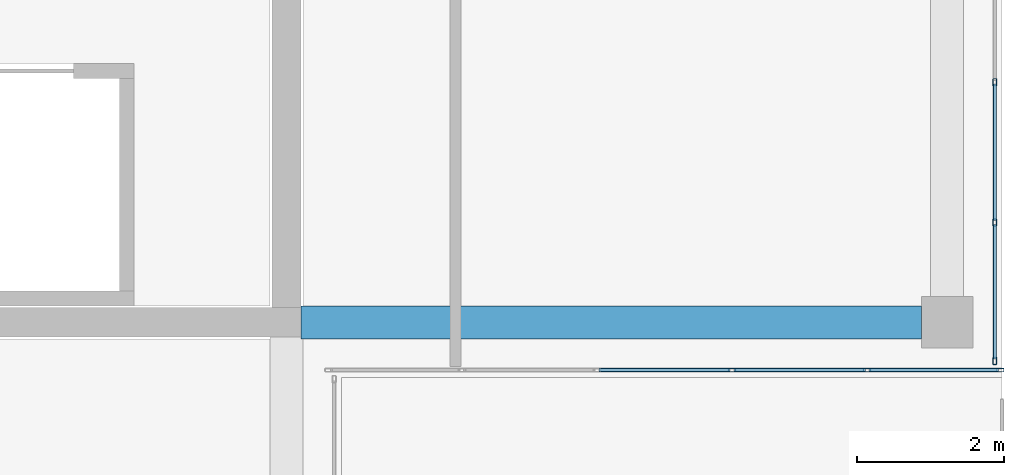
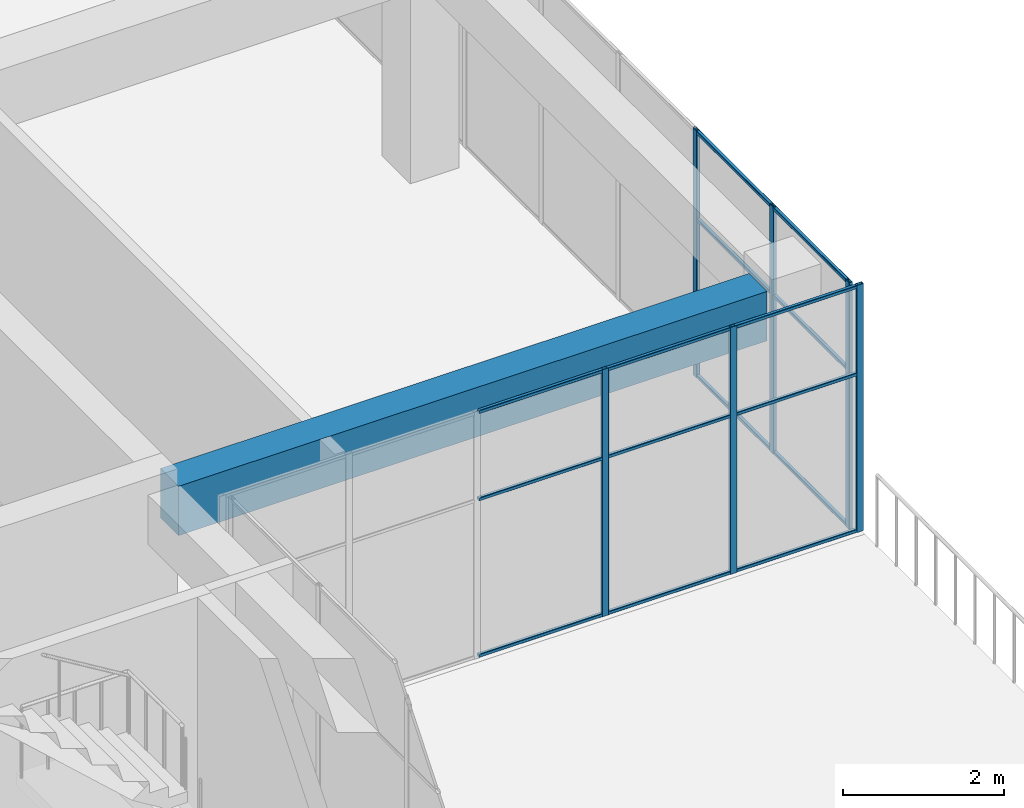
# One storey, part 24 of 49: 21 members, 1 beam, 2 elements without a shape of their own.
"""IFC4 building model written with IfcOpenShell, lengths in metres."""

from ifc_helpers import new_model, si_unit, direction, frame, origin, origin_2d, place, context, subcontext, project, spatial, rectangle, hollow_rectangle, extrude, material, layer, layer_set, material_profile, profile_set, type_object, element, aggregate, save


model = new_model("IFC4")

# Units and contexts
model_context = context("Model", 3, precision=1e-05, world=origin(), true_north=direction((0.0, 1.0)))
body_context = subcontext(model_context, "Body", "Model", "MODEL_VIEW")
ifc_project = project(units=[si_unit("LENGTHUNIT", "METRE"), si_unit("AREAUNIT", "SQUARE_METRE"), si_unit("VOLUMEUNIT", "CUBIC_METRE"), si_unit("PLANEANGLEUNIT", "RADIAN"), si_unit("MASSUNIT", "GRAM", prefix="KILO")], contexts=[model_context])

# Site, building, storey
site_placement = place(None, origin())
site = spatial("IfcSite", under=ifc_project, at=site_placement, CompositionType="ELEMENT")
building_placement = place(site_placement, origin())
building = spatial("IfcBuilding", under=site, at=building_placement, Name="Tuart Plaza Theatre", CompositionType="ELEMENT")
storey_placement = place(building_placement, frame((0.0, 0.0, 29.5)))
storey = spatial("IfcBuildingStorey", under=building, at=storey_placement, Name="L07", CompositionType="ELEMENT", Elevation=29.5)

# Beam
ifc_material_1 = material(Name="Concrete N40 (40 MPa)", Category="concrete")
ifc_material_profile_1 = material_profile(ifc_material_1, rectangle(XDim=0.449951171875, YDim=0.75, at=origin_2d()), Name="BEAM 450x750 Concrete N40 (40 MPa)")
ifc_profile_set_1 = profile_set([ifc_material_profile_1], Name="Concrete N40 (40 MPa)")
beam_type = type_object("IfcBeamType", Name="BEAM 450x750 Concrete N40 (40 MPa)", PredefinedType="BEAM", material=ifc_profile_set_1)
beam_placement = place(storey_placement, frame((141.199951171875, 65.0, 3.375), z_axis=(1.0, 0.0, 0.0), x_axis=(0.0, 1.0, 0.0)))
element("IfcBeam", 1, at=beam_placement, inside=storey, type_object=beam_type, Name="RB274", PredefinedType="BEAM", context=body_context, shape_type="SweptSolid", body=[
    extrude(rectangle(XDim=0.449951171875, YDim=0.75, at=origin_2d()), origin(), (0.0, 0.0, 1.0), 8.449951171875),
])

# Curtain wall, members
ifc_material_2 = material(Name="Aluminium and glass", Category="aluminium")
ifc_layer = layer(ifc_material_2, 0.10009765625)
ifc_layer_set = layer_set([ifc_layer], Name="CURTAIN WALL 2000 module")
curtain_wall_type = type_object("IfcCurtainWallType", Name="CURTAIN WALL 2000 module", PredefinedType="NOTDEFINED", material=ifc_layer_set)
curtain_wall_1_placement = place(storey_placement, origin())
curtain_wall_1 = element("IfcCurtainWall", 2, at=curtain_wall_1_placement, inside=storey, type_object=curtain_wall_type, Name="CW91", PredefinedType="NOTDEFINED")
ifc_material_3 = material(Name="Aluminium 6063-T5", Category="aluminium")
ifc_material_profile_2 = material_profile(ifc_material_3, hollow_rectangle(XDim=0.050048828125, YDim=0.10009765625, WallThickness=0.00390625, InnerFilletRadius=0.00390625, OuterFilletRadius=0.008056640625, at=origin_2d()), Name="RHS 100x50x4")
ifc_profile_set_2 = profile_set([ifc_material_profile_2], Name="Aluminium 6063-T5")
member_type_1 = type_object("IfcMemberType", Name="MULLION RHS 100x50x4", PredefinedType="MULLION", material=ifc_profile_set_2)
member_1_placement = place(storey_placement, frame((147.070068359375, 64.35009765625, 0.0), z_axis=(0.0, 0.0, 1.0), x_axis=(0.0, 1.0, 0.0)))
member_1 = element("IfcMember", 3, at=member_1_placement, type_object=member_type_1, Name="CW91 mullion 4", PredefinedType="MULLION", context=body_context, shape_type="SweptSolid", body=[
    extrude(hollow_rectangle(XDim=0.050048828125, YDim=0.10009765625, WallThickness=0.00390625, InnerFilletRadius=0.00390625, OuterFilletRadius=0.008056640625, at=origin_2d()), origin(), (0.0, 0.0, 1.0), 3.75),
])
member_2_placement = place(storey_placement, frame((148.909912109375, 64.35009765625, 0.0), z_axis=(0.0, 0.0, 1.0), x_axis=(0.0, 1.0, 0.0)))
member_2 = element("IfcMember", 4, at=member_2_placement, type_object=member_type_1, Name="CW91 mullion 5", PredefinedType="MULLION", context=body_context, shape_type="SweptSolid", body=[
    extrude(hollow_rectangle(XDim=0.050048828125, YDim=0.10009765625, WallThickness=0.00390625, InnerFilletRadius=0.00390625, OuterFilletRadius=0.008056640625, at=origin_2d()), origin(), (0.0, 0.0, 1.0), 3.75),
])
member_3_placement = place(storey_placement, frame((150.72509765625, 64.35009765625, 0.0), z_axis=(0.0, 0.0, 1.0), x_axis=(0.0, 1.0, 0.0)))
member_3 = element("IfcMember", 5, at=member_3_placement, type_object=member_type_1, Name="CW91 mullion 6", PredefinedType="MULLION", context=body_context, shape_type="SweptSolid", body=[
    extrude(hollow_rectangle(XDim=0.050048828125, YDim=0.10009765625, WallThickness=0.00390625, InnerFilletRadius=0.00390625, OuterFilletRadius=0.008056640625, at=origin_2d()), origin(), (0.0, 0.0, 1.0), 3.75),
])

curtain_wall_2_placement = place(storey_placement, origin())
curtain_wall_2 = element("IfcCurtainWall", 6, at=curtain_wall_2_placement, inside=storey, type_object=curtain_wall_type, Name="CW92", PredefinedType="NOTDEFINED")
member_4_placement = place(storey_placement, frame((150.64990234375, 64.47509765625, 0.0), z_axis=(0.0, 0.0, 1.0), x_axis=(-1.0, 0.0, 0.0)))
member_4 = element("IfcMember", 7, at=member_4_placement, type_object=member_type_1, Name="CW92 mullion 1", PredefinedType="MULLION", context=body_context, shape_type="SweptSolid", body=[
    extrude(hollow_rectangle(XDim=0.050048828125, YDim=0.10009765625, WallThickness=0.00390625, InnerFilletRadius=0.00390625, OuterFilletRadius=0.008056640625, at=origin_2d()), origin(), (0.0, 0.0, 1.0), 3.75),
])
member_5_placement = place(storey_placement, frame((150.64990234375, 66.360107421875, 0.0), z_axis=(0.0, 0.0, 1.0), x_axis=(-1.0, 0.0, 0.0)))
member_5 = element("IfcMember", 8, at=member_5_placement, type_object=member_type_1, Name="CW92 mullion 2", PredefinedType="MULLION", context=body_context, shape_type="SweptSolid", body=[
    extrude(hollow_rectangle(XDim=0.050048828125, YDim=0.10009765625, WallThickness=0.00390625, InnerFilletRadius=0.00390625, OuterFilletRadius=0.008056640625, at=origin_2d()), origin(), (0.0, 0.0, 1.0), 3.75),
])
member_6_placement = place(storey_placement, frame((150.64990234375, 68.27001953125, 0.0), z_axis=(0.0, 0.0, 1.0), x_axis=(-1.0, 0.0, 0.0)))
member_6 = element("IfcMember", 9, at=member_6_placement, type_object=member_type_1, Name="CW92 mullion 3", PredefinedType="MULLION", context=body_context, shape_type="SweptSolid", body=[
    extrude(hollow_rectangle(XDim=0.050048828125, YDim=0.10009765625, WallThickness=0.00390625, InnerFilletRadius=0.00390625, OuterFilletRadius=0.008056640625, at=origin_2d()), origin(), (0.0, 0.0, 1.0), 3.75),
])

# Member
ifc_material_4 = material(Name="Aluminium 6063-T5", Category="aluminium")
ifc_material_profile_3 = material_profile(ifc_material_4, hollow_rectangle(XDim=0.050048828125, YDim=0.050048828125, WallThickness=0.00390625, InnerFilletRadius=0.00390625, OuterFilletRadius=0.008056640625, at=origin_2d()), Name="RHS 50x50x4")
ifc_profile_set_3 = profile_set([ifc_material_profile_3], Name="Aluminium 6063-T5")
member_type_2 = type_object("IfcMemberType", Name="TRANSOM RHS 50x50x4", PredefinedType="USERDEFINED", material=ifc_profile_set_3)
member_7_placement = place(storey_placement, frame((145.2548828125, 64.35009765625, 0.02490234375), z_axis=(1.0, 0.0, 0.0), x_axis=(0.0, 1.0, 0.0)))
member_7 = element("IfcMember", 10, at=member_7_placement, type_object=member_type_2, Name="CW91 transom 3.1", ObjectType="TRANSOM", PredefinedType="USERDEFINED", context=body_context, shape_type="SweptSolid", body=[
    extrude(hollow_rectangle(XDim=0.050048828125, YDim=0.050048828125, WallThickness=0.00390625, InnerFilletRadius=0.00390625, OuterFilletRadius=0.008056640625, at=origin_2d()), origin(), (0.0, 0.0, 1.0), 1.7900390625),
])

member_8_placement = place(storey_placement, frame((145.2548828125, 64.35009765625, 2.39990234375), z_axis=(1.0, 0.0, 0.0), x_axis=(0.0, 1.0, 0.0)))
member_8 = element("IfcMember", 11, at=member_8_placement, type_object=member_type_2, Name="CW91 transom 3.2", ObjectType="TRANSOM", PredefinedType="USERDEFINED", context=body_context, shape_type="SweptSolid", body=[
    extrude(hollow_rectangle(XDim=0.050048828125, YDim=0.050048828125, WallThickness=0.00390625, InnerFilletRadius=0.00390625, OuterFilletRadius=0.008056640625, at=origin_2d()), origin(), (0.0, 0.0, 1.0), 1.7900390625),
])

member_9_placement = place(storey_placement, frame((145.2548828125, 64.35009765625, 3.72509765625), z_axis=(1.0, 0.0, 0.0), x_axis=(0.0, 1.0, 0.0)))
member_9 = element("IfcMember", 12, at=member_9_placement, type_object=member_type_2, Name="CW91 transom 3.3", ObjectType="TRANSOM", PredefinedType="USERDEFINED", context=body_context, shape_type="SweptSolid", body=[
    extrude(hollow_rectangle(XDim=0.050048828125, YDim=0.050048828125, WallThickness=0.00390625, InnerFilletRadius=0.00390625, OuterFilletRadius=0.008056640625, at=origin_2d()), origin(), (0.0, 0.0, 1.0), 1.7900390625),
])

member_10_placement = place(storey_placement, frame((147.094970703125, 64.35009765625, 0.02490234375), z_axis=(1.0, 0.0, 0.0), x_axis=(0.0, 1.0, 0.0)))
member_10 = element("IfcMember", 13, at=member_10_placement, type_object=member_type_2, Name="CW91 transom 4.1", ObjectType="TRANSOM", PredefinedType="USERDEFINED", context=body_context, shape_type="SweptSolid", body=[
    extrude(hollow_rectangle(XDim=0.050048828125, YDim=0.050048828125, WallThickness=0.00390625, InnerFilletRadius=0.00390625, OuterFilletRadius=0.008056640625, at=origin_2d()), origin(), (0.0, 0.0, 1.0), 1.7900390625),
])

member_11_placement = place(storey_placement, frame((147.094970703125, 64.35009765625, 2.39990234375), z_axis=(1.0, 0.0, 0.0), x_axis=(0.0, 1.0, 0.0)))
member_11 = element("IfcMember", 14, at=member_11_placement, type_object=member_type_2, Name="CW91 transom 4.2", ObjectType="TRANSOM", PredefinedType="USERDEFINED", context=body_context, shape_type="SweptSolid", body=[
    extrude(hollow_rectangle(XDim=0.050048828125, YDim=0.050048828125, WallThickness=0.00390625, InnerFilletRadius=0.00390625, OuterFilletRadius=0.008056640625, at=origin_2d()), origin(), (0.0, 0.0, 1.0), 1.7900390625),
])

member_12_placement = place(storey_placement, frame((147.094970703125, 64.35009765625, 3.72509765625), z_axis=(1.0, 0.0, 0.0), x_axis=(0.0, 1.0, 0.0)))
member_12 = element("IfcMember", 15, at=member_12_placement, type_object=member_type_2, Name="CW91 transom 4.3", ObjectType="TRANSOM", PredefinedType="USERDEFINED", context=body_context, shape_type="SweptSolid", body=[
    extrude(hollow_rectangle(XDim=0.050048828125, YDim=0.050048828125, WallThickness=0.00390625, InnerFilletRadius=0.00390625, OuterFilletRadius=0.008056640625, at=origin_2d()), origin(), (0.0, 0.0, 1.0), 1.7900390625),
])

member_13_placement = place(storey_placement, frame((148.93505859375, 64.35009765625, 0.02490234375), z_axis=(1.0, 0.0, 0.0), x_axis=(0.0, 1.0, 0.0)))
member_13 = element("IfcMember", 16, at=member_13_placement, type_object=member_type_2, Name="CW91 transom 5.1", ObjectType="TRANSOM", PredefinedType="USERDEFINED", context=body_context, shape_type="SweptSolid", body=[
    extrude(hollow_rectangle(XDim=0.050048828125, YDim=0.050048828125, WallThickness=0.00390625, InnerFilletRadius=0.00390625, OuterFilletRadius=0.008056640625, at=origin_2d()), origin(), (0.0, 0.0, 1.0), 1.764892578125),
])

member_14_placement = place(storey_placement, frame((148.93505859375, 64.35009765625, 2.39990234375), z_axis=(1.0, 0.0, 0.0), x_axis=(0.0, 1.0, 0.0)))
member_14 = element("IfcMember", 17, at=member_14_placement, type_object=member_type_2, Name="CW91 transom 5.2", ObjectType="TRANSOM", PredefinedType="USERDEFINED", context=body_context, shape_type="SweptSolid", body=[
    extrude(hollow_rectangle(XDim=0.050048828125, YDim=0.050048828125, WallThickness=0.00390625, InnerFilletRadius=0.00390625, OuterFilletRadius=0.008056640625, at=origin_2d()), origin(), (0.0, 0.0, 1.0), 1.764892578125),
])

member_15_placement = place(storey_placement, frame((148.93505859375, 64.35009765625, 3.72509765625), z_axis=(1.0, 0.0, 0.0), x_axis=(0.0, 1.0, 0.0)))
member_15 = element("IfcMember", 18, at=member_15_placement, type_object=member_type_2, Name="CW91 transom 5.3", ObjectType="TRANSOM", PredefinedType="USERDEFINED", context=body_context, shape_type="SweptSolid", body=[
    extrude(hollow_rectangle(XDim=0.050048828125, YDim=0.050048828125, WallThickness=0.00390625, InnerFilletRadius=0.00390625, OuterFilletRadius=0.008056640625, at=origin_2d()), origin(), (0.0, 0.0, 1.0), 1.764892578125),
])

aggregate(curtain_wall_1, [member_1, member_2, member_3, member_7, member_8, member_9, member_10, member_11, member_12, member_13, member_14, member_15])

member_16_placement = place(storey_placement, frame((150.64990234375, 64.5, 0.02490234375), z_axis=(0.0, 1.0, 0.0), x_axis=(-1.0, 0.0, 0.0)))
member_16 = element("IfcMember", 19, at=member_16_placement, type_object=member_type_2, Name="CW92 transom 1.1", ObjectType="TRANSOM", PredefinedType="USERDEFINED", context=body_context, shape_type="SweptSolid", body=[
    extrude(hollow_rectangle(XDim=0.050048828125, YDim=0.050048828125, WallThickness=0.00390625, InnerFilletRadius=0.00390625, OuterFilletRadius=0.008056640625, at=origin_2d()), origin(), (0.0, 0.0, 1.0), 1.8349609375),
])

member_17_placement = place(storey_placement, frame((150.64990234375, 64.5, 2.39990234375), z_axis=(0.0, 1.0, 0.0), x_axis=(-1.0, 0.0, 0.0)))
member_17 = element("IfcMember", 20, at=member_17_placement, type_object=member_type_2, Name="CW92 transom 1.2", ObjectType="TRANSOM", PredefinedType="USERDEFINED", context=body_context, shape_type="SweptSolid", body=[
    extrude(hollow_rectangle(XDim=0.050048828125, YDim=0.050048828125, WallThickness=0.00390625, InnerFilletRadius=0.00390625, OuterFilletRadius=0.008056640625, at=origin_2d()), origin(), (0.0, 0.0, 1.0), 1.8349609375),
])

member_18_placement = place(storey_placement, frame((150.64990234375, 64.5, 3.72509765625), z_axis=(0.0, 1.0, 0.0), x_axis=(-1.0, 0.0, 0.0)))
member_18 = element("IfcMember", 21, at=member_18_placement, type_object=member_type_2, Name="CW92 transom 1.3", ObjectType="TRANSOM", PredefinedType="USERDEFINED", context=body_context, shape_type="SweptSolid", body=[
    extrude(hollow_rectangle(XDim=0.050048828125, YDim=0.050048828125, WallThickness=0.00390625, InnerFilletRadius=0.00390625, OuterFilletRadius=0.008056640625, at=origin_2d()), origin(), (0.0, 0.0, 1.0), 1.8349609375),
])

member_19_placement = place(storey_placement, frame((150.64990234375, 66.385009765625, 0.02490234375), z_axis=(0.0, 1.0, 0.0), x_axis=(-1.0, 0.0, 0.0)))
member_19 = element("IfcMember", 22, at=member_19_placement, type_object=member_type_2, Name="CW92 transom 2.1", ObjectType="TRANSOM", PredefinedType="USERDEFINED", context=body_context, shape_type="SweptSolid", body=[
    extrude(hollow_rectangle(XDim=0.050048828125, YDim=0.050048828125, WallThickness=0.00390625, InnerFilletRadius=0.00390625, OuterFilletRadius=0.008056640625, at=origin_2d()), origin(), (0.0, 0.0, 1.0), 1.860107421875),
])

member_20_placement = place(storey_placement, frame((150.64990234375, 66.385009765625, 2.39990234375), z_axis=(0.0, 1.0, 0.0), x_axis=(-1.0, 0.0, 0.0)))
member_20 = element("IfcMember", 23, at=member_20_placement, type_object=member_type_2, Name="CW92 transom 2.2", ObjectType="TRANSOM", PredefinedType="USERDEFINED", context=body_context, shape_type="SweptSolid", body=[
    extrude(hollow_rectangle(XDim=0.050048828125, YDim=0.050048828125, WallThickness=0.00390625, InnerFilletRadius=0.00390625, OuterFilletRadius=0.008056640625, at=origin_2d()), origin(), (0.0, 0.0, 1.0), 1.860107421875),
])

member_21_placement = place(storey_placement, frame((150.64990234375, 66.385009765625, 3.72509765625), z_axis=(0.0, 1.0, 0.0), x_axis=(-1.0, 0.0, 0.0)))
member_21 = element("IfcMember", 24, at=member_21_placement, type_object=member_type_2, Name="CW92 transom 2.3", ObjectType="TRANSOM", PredefinedType="USERDEFINED", context=body_context, shape_type="SweptSolid", body=[
    extrude(hollow_rectangle(XDim=0.050048828125, YDim=0.050048828125, WallThickness=0.00390625, InnerFilletRadius=0.00390625, OuterFilletRadius=0.008056640625, at=origin_2d()), origin(), (0.0, 0.0, 1.0), 1.860107421875),
])

aggregate(curtain_wall_2, [member_4, member_5, member_6, member_16, member_17, member_18, member_19, member_20, member_21])

save(model, "model.ifc")
